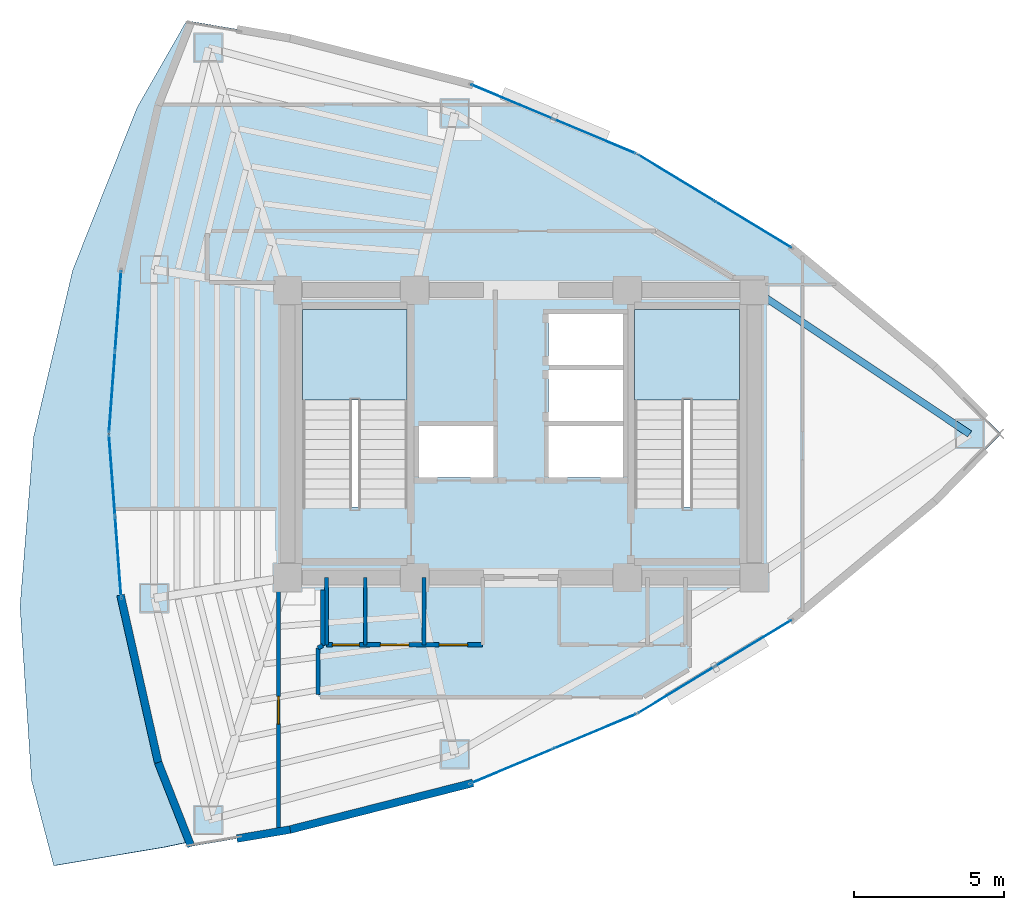
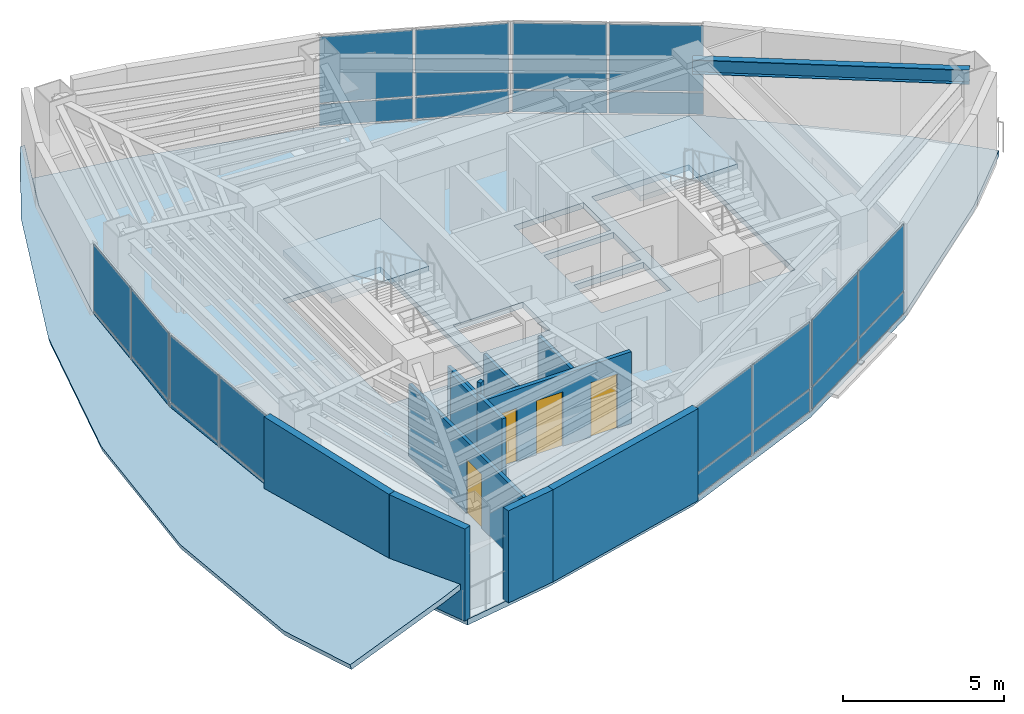
# One storey, part 11 of 15: 24 plates, 12 walls, 4 doors, 4 slabs, 1 beam, 4 openings, 8 elements without a shape of their own.
"""IFC4 building model written with IfcOpenShell, lengths in metres."""

from ifc_helpers import new_model, si_unit, direction, frame, frame_2d, origin, origin_2d, place, context, subcontext, project, spatial, polyline, rectangle, i_section, outline, extrude, material, layer, layer_set, material_profile, profile_set, type_object, element, fill, aggregate, save


model = new_model("IFC4")

# Units and contexts
model_context = context("Model", 3, precision=1e-05, world=origin(), true_north=direction((0.0, 1.0)))
body_context = subcontext(model_context, "Body", "Model", "MODEL_VIEW")
ifc_project = project(units=[si_unit("LENGTHUNIT", "METRE"), si_unit("AREAUNIT", "SQUARE_METRE"), si_unit("VOLUMEUNIT", "CUBIC_METRE"), si_unit("PLANEANGLEUNIT", "RADIAN"), si_unit("MASSUNIT", "GRAM", prefix="KILO")], contexts=[model_context])

# Site, building, storey
site_placement = place(None, origin())
site = spatial("IfcSite", under=ifc_project, at=site_placement, CompositionType="ELEMENT")
building_placement = place(site_placement, origin())
building = spatial("IfcBuilding", under=site, at=building_placement, Name="Menara Vayukalpa", CompositionType="ELEMENT")
storey_placement = place(building_placement, frame((0.0, 0.0, 184.080078125)))
storey = spatial("IfcBuildingStorey", under=building, at=storey_placement, Name="L46", CompositionType="ELEMENT", Elevation=184.080078125)

# Beam
ifc_material_1 = material(Name="Steel S355", Category="steel")
ifc_material_profile = material_profile(ifc_material_1, i_section(OverallWidth=0.239990234375, OverallDepth=0.550048828125, WebThickness=0.010986328125, FlangeThickness=0.01904296875, at=origin_2d()), Name="WF 550x240x11x19")
ifc_profile_set = profile_set([ifc_material_profile], Name="Steel S355")
beam_type = type_object("IfcBeamType", Name="BM-SP2", PredefinedType="SPANDREL", material=ifc_profile_set)
beam_placement = place(storey_placement, frame((40.590576171875, 22.0, 3.224853515625), z_axis=(-0.831715622571, 0.555201876052, 0.0), x_axis=(-0.555201876052, -0.831715622571, 0.0)))
element("IfcBeam", 1, at=beam_placement, inside=storey, type_object=beam_type, Name="L46 Perimeter Spandrel Beam SP01", PredefinedType="SPANDREL", context=body_context, shape_type="SweptSolid", body=[
    extrude(i_section(OverallWidth=0.239990234375, OverallDepth=0.550048828125, WebThickness=0.010986328125, FlangeThickness=0.01904296875, at=origin_2d()), origin(), (0.0, 0.0, 1.0), 8.6455078125),
])

# Curtain wall, plates
ifc_material_2 = material(Name="Anodised Terracotta Aluminium Alloy 6063-T6", Category="masonry")
ifc_layer_1 = layer(ifc_material_2, 0.139892578125)
ifc_layer_set_1 = layer_set([ifc_layer_1], Name="Anodised Terracotta Aluminium Alloy 6063-T6")
curtain_wall_type = type_object("IfcCurtainWallType", Name="CW-CW5", PredefinedType="USERDEFINED", material=ifc_layer_set_1)
curtain_wall_1_placement = place(storey_placement, origin())
curtain_wall_1 = element("IfcCurtainWall", 2, at=curtain_wall_1_placement, inside=storey, type_object=curtain_wall_type, Name="L46 High Rise Tapered Curtain Wall CW5 04", ObjectType="UNITISED", PredefinedType="USERDEFINED")
ifc_material_3 = material(Name="Low-E Double Glazing", Category="glass")
ifc_layer_2 = layer(ifc_material_3, 0.028076171875)
ifc_layer_set_2 = layer_set([ifc_layer_2], Name="Low-E Double Glazing")
plate_type = type_object("IfcPlateType", Name="CWP-CW5", PredefinedType="CURTAIN_PANEL", material=ifc_layer_set_2)
plate_1_placement = place(storey_placement, frame((33.358642578125, 28.994384765625, 0.059814453125), z_axis=(0.0, 0.0, 1.0), x_axis=(-0.854664974832, 0.519179911779, 0.0)))
plate_1 = element("IfcPlate", 3, at=plate_1_placement, type_object=plate_type, Name="CW5 panel 1.1", PredefinedType="CURTAIN_PANEL", context=body_context, shape_type="SweptSolid", body=[
    extrude(rectangle(XDim=2.9423828125, YDim=0.028076171875, at=origin_2d()), origin(), (0.0, 0.0, 1.0), 0.81005859375),
])
plate_2_placement = place(storey_placement, frame((33.358642578125, 28.994384765625, 0.9296875), z_axis=(0.0, 0.0, 1.0), x_axis=(-0.854664974832, 0.519179911779, 0.0)))
plate_2 = element("IfcPlate", 4, at=plate_2_placement, type_object=plate_type, Name="CW5 panel 1.2", PredefinedType="CURTAIN_PANEL", context=body_context, shape_type="SweptSolid", body=[
    extrude(rectangle(XDim=2.9423828125, YDim=0.028076171875, at=origin_2d()), origin(), (0.0, 0.0, 1.0), 2.510009765625),
])
plate_3_placement = place(storey_placement, frame((30.79248046875, 30.55322265625, 0.059814453125), z_axis=(0.0, 0.0, 1.0), x_axis=(-0.854664974832, 0.519179911779, 0.0)))
plate_3 = element("IfcPlate", 5, at=plate_3_placement, type_object=plate_type, Name="CW5 panel 2.1", PredefinedType="CURTAIN_PANEL", context=body_context, shape_type="SweptSolid", body=[
    extrude(rectangle(XDim=2.9423828125, YDim=0.028076171875, at=origin_2d()), origin(), (0.0, 0.0, 1.0), 0.81005859375),
])
plate_4_placement = place(storey_placement, frame((30.79248046875, 30.55322265625, 0.9296875), z_axis=(0.0, 0.0, 1.0), x_axis=(-0.854664974832, 0.519179911779, 0.0)))
plate_4 = element("IfcPlate", 6, at=plate_4_placement, type_object=plate_type, Name="CW5 panel 2.2", PredefinedType="CURTAIN_PANEL", context=body_context, shape_type="SweptSolid", body=[
    extrude(rectangle(XDim=2.9423828125, YDim=0.028076171875, at=origin_2d()), origin(), (0.0, 0.0, 1.0), 2.510009765625),
])
aggregate(curtain_wall_1, [plate_1, plate_2, plate_3, plate_4])

curtain_wall_2_placement = place(storey_placement, origin())
curtain_wall_2 = element("IfcCurtainWall", 7, at=curtain_wall_2_placement, inside=storey, type_object=curtain_wall_type, Name="L46 High Rise Tapered Curtain Wall CW5 05", ObjectType="UNITISED", PredefinedType="USERDEFINED")
plate_5_placement = place(storey_placement, frame((28.071044921875, 31.93896484375, 0.059814453125), z_axis=(0.0, 0.0, 1.0), x_axis=(-0.922539431351, 0.385902834406, 0.0)))
plate_5 = element("IfcPlate", 8, at=plate_5_placement, type_object=plate_type, Name="CW5 panel 1.1", PredefinedType="CURTAIN_PANEL", context=body_context, shape_type="SweptSolid", body=[
    extrude(rectangle(XDim=2.9423828125, YDim=0.028076171875, at=origin_2d()), origin(), (0.0, 0.0, 1.0), 0.81005859375),
])
plate_6_placement = place(storey_placement, frame((28.071044921875, 31.93896484375, 0.9296875), z_axis=(0.0, 0.0, 1.0), x_axis=(-0.922539431351, 0.385902834406, 0.0)))
plate_6 = element("IfcPlate", 9, at=plate_6_placement, type_object=plate_type, Name="CW5 panel 1.2", PredefinedType="CURTAIN_PANEL", context=body_context, shape_type="SweptSolid", body=[
    extrude(rectangle(XDim=2.9423828125, YDim=0.028076171875, at=origin_2d()), origin(), (0.0, 0.0, 1.0), 2.510009765625),
])
plate_7_placement = place(storey_placement, frame((25.30126953125, 33.09765625, 0.059814453125), z_axis=(0.0, 0.0, 1.0), x_axis=(-0.922539431351, 0.385902834406, 0.0)))
plate_7 = element("IfcPlate", 10, at=plate_7_placement, type_object=plate_type, Name="CW5 panel 2.1", PredefinedType="CURTAIN_PANEL", context=body_context, shape_type="SweptSolid", body=[
    extrude(rectangle(XDim=2.9423828125, YDim=0.028076171875, at=origin_2d()), origin(), (0.0, 0.0, 1.0), 0.81005859375),
])
plate_8_placement = place(storey_placement, frame((25.30126953125, 33.09765625, 0.9296875), z_axis=(0.0, 0.0, 1.0), x_axis=(-0.922539431351, 0.385902834406, 0.0)))
plate_8 = element("IfcPlate", 11, at=plate_8_placement, type_object=plate_type, Name="CW5 panel 2.2", PredefinedType="CURTAIN_PANEL", context=body_context, shape_type="SweptSolid", body=[
    extrude(rectangle(XDim=2.9423828125, YDim=0.028076171875, at=origin_2d()), origin(), (0.0, 0.0, 1.0), 2.510009765625),
])
aggregate(curtain_wall_2, [plate_5, plate_6, plate_7, plate_8])

curtain_wall_3_placement = place(storey_placement, origin())
curtain_wall_3 = element("IfcCurtainWall", 12, at=curtain_wall_3_placement, inside=storey, type_object=curtain_wall_type, Name="L46 High Rise Tapered Curtain Wall CW5 10", ObjectType="UNITISED", PredefinedType="USERDEFINED")
plate_9_placement = place(storey_placement, frame((12.139892578125, 26.10205078125, 0.059814453125), z_axis=(0.0, 0.0, 1.0), x_axis=(-0.074791754736, -0.9971991744, 0.0)))
plate_9 = element("IfcPlate", 13, at=plate_9_placement, type_object=plate_type, Name="CW5 panel 1.1", PredefinedType="CURTAIN_PANEL", context=body_context, shape_type="SweptSolid", body=[
    extrude(rectangle(XDim=2.662353515625, YDim=0.028076171875, at=origin_2d()), origin(), (0.0, 0.0, 1.0), 0.81005859375),
])
plate_10_placement = place(storey_placement, frame((12.139892578125, 26.10205078125, 0.9296875), z_axis=(0.0, 0.0, 1.0), x_axis=(-0.074791754736, -0.9971991744, 0.0)))
plate_10 = element("IfcPlate", 14, at=plate_10_placement, type_object=plate_type, Name="CW5 panel 1.2", PredefinedType="CURTAIN_PANEL", context=body_context, shape_type="SweptSolid", body=[
    extrude(rectangle(XDim=2.662353515625, YDim=0.028076171875, at=origin_2d()), origin(), (0.0, 0.0, 1.0), 2.510009765625),
])
plate_11_placement = place(storey_placement, frame((11.936279296875, 23.38720703125, 0.059814453125), z_axis=(0.0, 0.0, 1.0), x_axis=(-0.074791754736, -0.9971991744, 0.0)))
plate_11 = element("IfcPlate", 15, at=plate_11_placement, type_object=plate_type, Name="CW5 panel 2.1", PredefinedType="CURTAIN_PANEL", context=body_context, shape_type="SweptSolid", body=[
    extrude(rectangle(XDim=2.662353515625, YDim=0.028076171875, at=origin_2d()), origin(), (0.0, 0.0, 1.0), 0.81005859375),
])
plate_12_placement = place(storey_placement, frame((11.936279296875, 23.38720703125, 0.9296875), z_axis=(0.0, 0.0, 1.0), x_axis=(-0.074791754736, -0.9971991744, 0.0)))
plate_12 = element("IfcPlate", 16, at=plate_12_placement, type_object=plate_type, Name="CW5 panel 2.2", PredefinedType="CURTAIN_PANEL", context=body_context, shape_type="SweptSolid", body=[
    extrude(rectangle(XDim=2.662353515625, YDim=0.028076171875, at=origin_2d()), origin(), (0.0, 0.0, 1.0), 2.510009765625),
])
aggregate(curtain_wall_3, [plate_9, plate_10, plate_11, plate_12])

curtain_wall_4_placement = place(storey_placement, origin())
curtain_wall_4 = element("IfcCurtainWall", 17, at=curtain_wall_4_placement, inside=storey, type_object=curtain_wall_type, Name="L46 High Rise Tapered Curtain Wall CW5 11", ObjectType="UNITISED", PredefinedType="USERDEFINED")
plate_13_placement = place(storey_placement, frame((11.936279296875, 20.61279296875, 0.059814453125), z_axis=(0.0, 0.0, 1.0), x_axis=(0.074791754736, -0.9971991744, 0.0)))
plate_13 = element("IfcPlate", 18, at=plate_13_placement, type_object=plate_type, Name="CW5 panel 1.1", PredefinedType="CURTAIN_PANEL", context=body_context, shape_type="SweptSolid", body=[
    extrude(rectangle(XDim=2.662353515625, YDim=0.028076171875, at=origin_2d()), origin(), (0.0, 0.0, 1.0), 0.81005859375),
])
plate_14_placement = place(storey_placement, frame((11.936279296875, 20.61279296875, 0.9296875), z_axis=(0.0, 0.0, 1.0), x_axis=(0.074791754736, -0.9971991744, 0.0)))
plate_14 = element("IfcPlate", 19, at=plate_14_placement, type_object=plate_type, Name="CW5 panel 1.2", PredefinedType="CURTAIN_PANEL", context=body_context, shape_type="SweptSolid", body=[
    extrude(rectangle(XDim=2.662353515625, YDim=0.028076171875, at=origin_2d()), origin(), (0.0, 0.0, 1.0), 2.510009765625),
])
plate_15_placement = place(storey_placement, frame((12.139892578125, 17.89794921875, 0.059814453125), z_axis=(0.0, 0.0, 1.0), x_axis=(0.074791754736, -0.9971991744, 0.0)))
plate_15 = element("IfcPlate", 20, at=plate_15_placement, type_object=plate_type, Name="CW5 panel 2.1", PredefinedType="CURTAIN_PANEL", context=body_context, shape_type="SweptSolid", body=[
    extrude(rectangle(XDim=2.662353515625, YDim=0.028076171875, at=origin_2d()), origin(), (0.0, 0.0, 1.0), 0.81005859375),
])
plate_16_placement = place(storey_placement, frame((12.139892578125, 17.89794921875, 0.9296875), z_axis=(0.0, 0.0, 1.0), x_axis=(0.074791754736, -0.9971991744, 0.0)))
plate_16 = element("IfcPlate", 21, at=plate_16_placement, type_object=plate_type, Name="CW5 panel 2.2", PredefinedType="CURTAIN_PANEL", context=body_context, shape_type="SweptSolid", body=[
    extrude(rectangle(XDim=2.662353515625, YDim=0.028076171875, at=origin_2d()), origin(), (0.0, 0.0, 1.0), 2.510009765625),
])
aggregate(curtain_wall_4, [plate_13, plate_14, plate_15, plate_16])

curtain_wall_5_placement = place(storey_placement, origin())
curtain_wall_5 = element("IfcCurtainWall", 22, at=curtain_wall_5_placement, inside=storey, type_object=curtain_wall_type, Name="L46 High Rise Tapered Curtain Wall CW5 16", ObjectType="UNITISED", PredefinedType="USERDEFINED")
plate_17_placement = place(storey_placement, frame((25.30126953125, 10.90234375, 0.059814453125), z_axis=(0.0, 0.0, 1.0), x_axis=(0.922539431351, 0.385902834406, 0.0)))
plate_17 = element("IfcPlate", 23, at=plate_17_placement, type_object=plate_type, Name="CW5 panel 1.1", PredefinedType="CURTAIN_PANEL", context=body_context, shape_type="SweptSolid", body=[
    extrude(rectangle(XDim=2.9423828125, YDim=0.028076171875, at=origin_2d()), origin(), (0.0, 0.0, 1.0), 0.81005859375),
])
plate_18_placement = place(storey_placement, frame((25.30126953125, 10.90234375, 0.9296875), z_axis=(0.0, 0.0, 1.0), x_axis=(0.922539431351, 0.385902834406, 0.0)))
plate_18 = element("IfcPlate", 24, at=plate_18_placement, type_object=plate_type, Name="CW5 panel 1.2", PredefinedType="CURTAIN_PANEL", context=body_context, shape_type="SweptSolid", body=[
    extrude(rectangle(XDim=2.9423828125, YDim=0.028076171875, at=origin_2d()), origin(), (0.0, 0.0, 1.0), 2.510009765625),
])
plate_19_placement = place(storey_placement, frame((28.071044921875, 12.06103515625, 0.059814453125), z_axis=(0.0, 0.0, 1.0), x_axis=(0.922539431351, 0.385902834406, 0.0)))
plate_19 = element("IfcPlate", 25, at=plate_19_placement, type_object=plate_type, Name="CW5 panel 2.1", PredefinedType="CURTAIN_PANEL", context=body_context, shape_type="SweptSolid", body=[
    extrude(rectangle(XDim=2.9423828125, YDim=0.028076171875, at=origin_2d()), origin(), (0.0, 0.0, 1.0), 0.81005859375),
])
plate_20_placement = place(storey_placement, frame((28.071044921875, 12.06103515625, 0.9296875), z_axis=(0.0, 0.0, 1.0), x_axis=(0.922539431351, 0.385902834406, 0.0)))
plate_20 = element("IfcPlate", 26, at=plate_20_placement, type_object=plate_type, Name="CW5 panel 2.2", PredefinedType="CURTAIN_PANEL", context=body_context, shape_type="SweptSolid", body=[
    extrude(rectangle(XDim=2.9423828125, YDim=0.028076171875, at=origin_2d()), origin(), (0.0, 0.0, 1.0), 2.510009765625),
])
aggregate(curtain_wall_5, [plate_17, plate_18, plate_19, plate_20])

curtain_wall_6_placement = place(storey_placement, origin())
curtain_wall_6 = element("IfcCurtainWall", 27, at=curtain_wall_6_placement, inside=storey, type_object=curtain_wall_type, Name="L46 High Rise Tapered Curtain Wall CW5 17", ObjectType="UNITISED", PredefinedType="USERDEFINED")
plate_21_placement = place(storey_placement, frame((30.79248046875, 13.44677734375, 0.059814453125), z_axis=(0.0, 0.0, 1.0), x_axis=(0.854664974832, 0.519179911779, 0.0)))
plate_21 = element("IfcPlate", 28, at=plate_21_placement, type_object=plate_type, Name="CW5 panel 1.1", PredefinedType="CURTAIN_PANEL", context=body_context, shape_type="SweptSolid", body=[
    extrude(rectangle(XDim=2.9423828125, YDim=0.028076171875, at=origin_2d()), origin(), (0.0, 0.0, 1.0), 0.81005859375),
])
plate_22_placement = place(storey_placement, frame((30.79248046875, 13.44677734375, 0.9296875), z_axis=(0.0, 0.0, 1.0), x_axis=(0.854664974832, 0.519179911779, 0.0)))
plate_22 = element("IfcPlate", 29, at=plate_22_placement, type_object=plate_type, Name="CW5 panel 1.2", PredefinedType="CURTAIN_PANEL", context=body_context, shape_type="SweptSolid", body=[
    extrude(rectangle(XDim=2.9423828125, YDim=0.028076171875, at=origin_2d()), origin(), (0.0, 0.0, 1.0), 2.510009765625),
])
plate_23_placement = place(storey_placement, frame((33.358642578125, 15.005615234375, 0.059814453125), z_axis=(0.0, 0.0, 1.0), x_axis=(0.854664974832, 0.519179911779, 0.0)))
plate_23 = element("IfcPlate", 30, at=plate_23_placement, type_object=plate_type, Name="CW5 panel 2.1", PredefinedType="CURTAIN_PANEL", context=body_context, shape_type="SweptSolid", body=[
    extrude(rectangle(XDim=2.9423828125, YDim=0.028076171875, at=origin_2d()), origin(), (0.0, 0.0, 1.0), 0.81005859375),
])
plate_24_placement = place(storey_placement, frame((33.358642578125, 15.005615234375, 0.9296875), z_axis=(0.0, 0.0, 1.0), x_axis=(0.854664974832, 0.519179911779, 0.0)))
plate_24 = element("IfcPlate", 31, at=plate_24_placement, type_object=plate_type, Name="CW5 panel 2.2", PredefinedType="CURTAIN_PANEL", context=body_context, shape_type="SweptSolid", body=[
    extrude(rectangle(XDim=2.9423828125, YDim=0.028076171875, at=origin_2d()), origin(), (0.0, 0.0, 1.0), 2.510009765625),
])
aggregate(curtain_wall_6, [plate_21, plate_22, plate_23, plate_24])

# Slab
ifc_material_4 = material(Name="Concrete C40/50", Category="concrete")
ifc_layer_3 = layer(ifc_material_4, 0.219970703125)
ifc_layer_set_3 = layer_set([ifc_layer_3], Name="Concrete C40/50")
slab_type_1 = type_object("IfcSlabType", Name="SLB-FL220", PredefinedType="FLOOR", material=ifc_layer_set_3)
slab_1_placement = place(storey_placement, frame((0.0, 0.0, -0.219970703125)))
element("IfcSlab", 32, at=slab_1_placement, inside=storey, type_object=slab_type_1, Name="L46 Structural Floor Slab", PredefinedType="FLOOR", context=body_context, shape_type="SweptSolid", body=[
    extrude(outline(polyline([(39.439208984375, 19.7578125), (41.640380859375, 22.0), (39.439208984375, 24.2421875), (34.667236328125, 28.19921875), (29.48388671875, 31.34814453125), (23.888671875, 33.688720703125), (17.881591796875, 35.220703125), (14.579833984375, 35.781005859375), (13.47900390625, 32.978515625), (12.243896484375, 27.4892578125), (11.832275390625, 22.0), (12.243896484375, 16.5107421875), (13.47900390625, 11.021484375), (14.579833984375, 8.218994140625), (17.881591796875, 8.779296875), (23.888671875, 10.311279296875), (29.48388671875, 12.65185546875), (34.667236328125, 15.80078125), (39.439208984375, 19.7578125)]), holes=[polyline([(21.800048828125, 19.550048828125), (21.800048828125, 26.14990234375), (18.300048828125, 26.14990234375), (18.300048828125, 19.550048828125), (21.800048828125, 19.550048828125)]), polyline([(32.89990234375, 19.550048828125), (32.89990234375, 26.14990234375), (29.39990234375, 26.14990234375), (29.39990234375, 19.550048828125), (32.89990234375, 19.550048828125)]), polyline([(22.179931640625, 20.550048828125), (24.679931640625, 20.550048828125), (24.679931640625, 22.27001953125), (22.179931640625, 22.27001953125), (22.179931640625, 20.550048828125)]), polyline([(26.52001953125, 20.550048828125), (29.02001953125, 20.550048828125), (29.02001953125, 22.27001953125), (26.52001953125, 22.27001953125), (26.52001953125, 20.550048828125)]), polyline([(26.52001953125, 24.2900390625), (29.02001953125, 24.2900390625), (29.02001953125, 26.010009765625), (26.52001953125, 26.010009765625), (26.52001953125, 24.2900390625)]), polyline([(26.52001953125, 22.419921875), (29.02001953125, 22.419921875), (29.02001953125, 24.139892578125), (26.52001953125, 24.139892578125), (26.52001953125, 22.419921875)])]), origin(), (0.0, 0.0, 1.0), 0.219970703125),
])

# Stair, slab
ifc_material_5 = material(Name="Precast Concrete C40/50", Category="concrete")
stair_type = type_object("IfcStairType", Name="STR-T04", PredefinedType="DOUBLE_RETURN_STAIR", material=ifc_material_5)
stair_1_placement = place(storey_placement, origin())
stair_1 = element("IfcStair", 33, at=stair_1_placement, inside=storey, type_object=stair_type, Name="L46 Core Exit Stair ST-1", PredefinedType="DOUBLE_RETURN_STAIR")
ifc_material_6 = material(Name="Precast Concrete C40/50", Category="concrete")
ifc_layer_4 = layer(ifc_material_6, 0.199951171875)
ifc_layer_set_4 = layer_set([ifc_layer_4], Name="Precast Concrete C40/50")
slab_type_2 = type_object("IfcSlabType", Name="SLB-LND200", PredefinedType="LANDING", material=ifc_layer_set_4)
slab_2_placement = place(storey_placement, frame((0.0, 0.0, 1.659912109375)))
slab_2 = element("IfcSlab", 34, at=slab_2_placement, type_object=slab_type_2, Name="ST-1 landing 1", PredefinedType="LANDING", context=body_context, shape_type="SweptSolid", body=[
    extrude(outline(polyline([(21.800048828125, 23.1298828125), (21.800048828125, 26.14990234375), (18.300048828125, 26.14990234375), (18.300048828125, 23.1298828125), (21.800048828125, 23.1298828125)])), origin(), (0.0, 0.0, 1.0), 0.199951171875),
])
aggregate(stair_1, [slab_2])

stair_2_placement = place(storey_placement, origin())
stair_2 = element("IfcStair", 35, at=stair_2_placement, inside=storey, type_object=stair_type, Name="L46 Core Exit Stair ST-2", PredefinedType="DOUBLE_RETURN_STAIR")
slab_3_placement = place(storey_placement, frame((0.0, 0.0, 1.659912109375)))
slab_3 = element("IfcSlab", 36, at=slab_3_placement, type_object=slab_type_2, Name="ST-2 landing 1", PredefinedType="LANDING", context=body_context, shape_type="SweptSolid", body=[
    extrude(outline(polyline([(32.89990234375, 23.1298828125), (32.89990234375, 26.14990234375), (29.39990234375, 26.14990234375), (29.39990234375, 23.1298828125), (32.89990234375, 23.1298828125)])), origin(), (0.0, 0.0, 1.0), 0.199951171875),
])
aggregate(stair_2, [slab_3])

# Slab
ifc_material_7 = material(Name="Concrete C40/50", Category="concrete")
ifc_layer_5 = layer(ifc_material_7, 0.199951171875)
ifc_layer_set_5 = layer_set([ifc_layer_5], Name="Concrete C40/50")
slab_type_3 = type_object("IfcSlabType", Name="SLB-RF200", PredefinedType="ROOF", material=ifc_layer_set_5)
slab_4_placement = place(storey_placement, frame((9.9873046875, 7.573486328125, 0.270263671875), z_axis=(-0.233421873184, 9.104193e-06, 0.972375559666), x_axis=(-0.25115877163, 0.966065794564, -0.060300514145)))
element("IfcSlab", 37, at=slab_4_placement, inside=storey, type_object=slab_type_3, Name="L46 Shoulder Stub Sloped Roof Slab", PredefinedType="ROOF", context=body_context, shape_type="SweptSolid", body=[
    extrude(outline(polyline([(0.0, 0.0), (2.95324331025787, -1.457167719820518e-16), (8.66855600397519, -1.1195630278253113), (14.032968224042426, -3.0411397148055763), (19.04634261253541, -5.765243795617088), (23.708679169454133, -9.291875270259842), (26.05376345426724, -11.663835553065349), (25.995917317125688, -11.797011387963874), (23.627419811864375, -10.014519454098725), (23.62614203434729, -10.01362735597991), (23.624788216965513, -10.01301965188391), (18.649899063004796, -7.368041501918244), (18.647191428241243, -7.366826093726243), (13.453551797433617, -5.540007197106289), (13.45219798005184, -5.539399493010288), (13.450721526551105, -5.539250470221247), (8.038392736956052, -4.530361486293524), (8.035439829954578, -4.53006344071544), (2.4043605635126224, -4.33933371013343), (2.4028841100118865, -4.339184687344388), (2.4013316166464587, -4.339320058578159), (-0.43510769088033585, -4.688859393667897), (-0.38235132165810026, -3.794932784053522), (0.0, 0.0)])), origin(), (0.0, 0.0, -1.0), 0.199951171875),
])

# Walls
ifc_material_8 = material(Name="Insulated Precast Concrete C40/50", Category="concrete")
ifc_layer_6 = layer(ifc_material_8, 0.260009765625)
ifc_layer_set_6 = layer_set([ifc_layer_6], Name="Insulated Precast Concrete C40/50")
wall_type_1 = type_object("IfcWallType", Name="WAL-EXT260", PredefinedType="PARTITIONING", material=ifc_layer_set_6)
wall_1_placement = place(storey_placement, frame((13.47900390625, 11.021484375, 0.0), z_axis=(0.0, 0.0, 1.0), x_axis=(-0.219475737697, 0.975617958303, 0.0)))
element("IfcWall", 38, at=wall_1_placement, inside=storey, type_object=wall_type_1, Name="L46 Perimeter Terracotta Pier Wall 12", PredefinedType="PARTITIONING", context=body_context, shape_type="SweptSolid", body=[
    extrude(rectangle(XDim=5.736572265625, YDim=0.260009765625, at=frame_2d((2.8681640625, 0.0))), origin(), (0.0, 0.0, 1.0), 3.5),
])
wall_2_placement = place(storey_placement, frame((14.579833984375, 8.218994140625, 0.0), z_axis=(0.0, 0.0, 1.0), x_axis=(-0.365609724313, 0.930768246927, 0.0)))
element("IfcWall", 39, at=wall_2_placement, inside=storey, type_object=wall_type_1, Name="L46 Perimeter Terracotta Pier Wall 13", PredefinedType="PARTITIONING", context=body_context, shape_type="SweptSolid", body=[
    extrude(rectangle(XDim=3.010986328125, YDim=0.260009765625, at=frame_2d((1.50537109375, 0.0))), origin(), (0.0, 0.0, 1.0), 3.5),
])
wall_3_placement = place(storey_placement, frame((17.8876953125, 8.780517578125, 0.0), z_axis=(0.0, 0.0, 1.0), x_axis=(-0.985877723898, -0.167466753484, 0.0)))
element("IfcWall", 40, at=wall_3_placement, inside=storey, type_object=wall_type_1, Name="L46 Perimeter Terracotta Pier Wall 14", PredefinedType="PARTITIONING", context=body_context, shape_type="SweptSolid", body=[
    extrude(rectangle(XDim=1.80615234375, YDim=0.260009765625, at=frame_2d((0.903076171875, 0.0))), origin(), (0.0, 0.0, 1.0), 3.5),
])
wall_4_placement = place(storey_placement, frame((23.9951171875, 10.338623046875, 0.0), z_axis=(0.0, 0.0, 1.0), x_axis=(-0.968976240439, -0.247153890246, 0.0)))
element("IfcWall", 41, at=wall_4_placement, inside=storey, type_object=wall_type_1, Name="L46 Perimeter Terracotta Pier Wall 15", PredefinedType="PARTITIONING", context=body_context, shape_type="SweptSolid", body=[
    extrude(rectangle(XDim=6.31494140625, YDim=0.260009765625, at=frame_2d((3.157470703125, 0.0))), origin(), (0.0, 0.0, 1.0), 3.5),
])
ifc_material_9 = material(Name="Acoustic Mineral Stud Partition", Category="masonry")
ifc_layer_7 = layer(ifc_material_9, 0.110107421875)
ifc_layer_set_7 = layer_set([ifc_layer_7], Name="Acoustic Mineral Stud Partition")
wall_type_2 = type_object("IfcWallType", Name="WAL-PT110", PredefinedType="PARTITIONING", material=ifc_layer_set_7)
wall_5_placement = place(storey_placement, frame((20.39990234375, 14.949951171875, 0.0), z_axis=(0.0, 0.0, 1.0), x_axis=(0.0, 1.0, 0.0)))
element("IfcWall", 42, at=wall_5_placement, inside=storey, type_object=wall_type_2, Name="L46 Interior Partition IW-L46-SVCD-02", PredefinedType="PARTITIONING", context=body_context, shape_type="SweptSolid", body=[
    extrude(rectangle(XDim=2.25, YDim=0.110107421875, at=frame_2d((1.125, 0.0))), origin(), (0.0, 0.0, 1.0), 2.6298828125),
])
ifc_material_10 = material(Name="Gypsum Drywall Steel Stud Assembly", Category="steel")
ifc_layer_8 = layer(ifc_material_10, 0.125)
ifc_layer_set_8 = layer_set([ifc_layer_8], Name="Gypsum Drywall Steel Stud Assembly")
wall_type_3 = type_object("IfcWallType", Name="WAL-PT125", PredefinedType="PARTITIONING", material=ifc_layer_set_8)
for number, where, z_axis, x_axis, name in (
    (43, (19.10009765625, 14.949951171875, 0.0), (0.0, 0.0, 1.0), (0.0, 1.0, 0.0), "L46 Interior Partition IW-L46-SVCD-01"),
    (44, (22.360107421875, 14.949951171875, 0.0), (0.0, 0.0, 1.0), (0.0, 1.0, 0.0), "L46 Interior Partition IW-L46-SVCD-03"),
):
    element("IfcWall", number, at=place(storey_placement, frame(where, z_axis=z_axis, x_axis=x_axis)), inside=storey, type_object=wall_type_3, Name=name, PredefinedType="PARTITIONING", context=body_context, shape_type="SweptSolid", body=[
        extrude(rectangle(XDim=2.25, YDim=0.125, at=frame_2d((1.125, 0.0))), origin(), (0.0, 0.0, 1.0), 2.6298828125),
    ])

# Wall, opening, door
wall_6_placement = place(storey_placement, frame((17.5, 8.70458984375, 0.0), z_axis=(0.0, 0.0, 1.0), x_axis=(0.0, 1.0, 0.0)))
wall_6 = element("IfcWall", 45, at=wall_6_placement, inside=storey, type_object=wall_type_3, Name="L46 Interior Partition IW-L46-RDIV01", PredefinedType="PARTITIONING", context=body_context, shape_type="SweptSolid", body=[
    extrude(rectangle(XDim=8.12548828125, YDim=0.125, at=frame_2d((4.062744140625, 0.0))), origin(), (0.0, 0.0, 1.0), 2.72998046875),
])
opening_1_placement = place(wall_6_placement, frame((3.602783203125, 0.0, 0.0)))
opening_1 = element("IfcOpeningElement", 46, at=opening_1_placement, cuts=wall_6, Name="Opening ID6", PredefinedType="OPENING", context=body_context, shape_type="SweptSolid", body=[
    extrude(rectangle(XDim=0.919921875, YDim=2.050048828125, at=frame_2d((0.4599609375, 1.02490234375))), frame((0.0, 0.072509765625, 0.0), z_axis=(0.0, -1.0, 0.0), x_axis=(1.0, 0.0, 0.0)), (0.0, 0.0, 1.0), 0.14501953125),
])
ifc_material_11 = material(Name="Acoustic Hardwood Veneer Timber Door", Category="wood")
door_type_1 = type_object("IfcDoorType", Name="DR-INT92", OperationType="NOTDEFINED", PredefinedType="DOOR", material=ifc_material_11)
door_1_placement = place(opening_1_placement, origin())
door_1 = element("IfcDoor", 47, at=door_1_placement, inside=storey, type_object=door_type_1, Name="L46 Interior Door DR-L46-STE01", OperationType="SINGLE_SWING_RIGHT", OverallHeight=2.050048828125, OverallWidth=0.919921875, PredefinedType="DOOR", context=body_context, shape_type="SweptSolid", body=[
    extrude(rectangle(XDim=0.919921875, YDim=2.050048828125, at=frame_2d((0.4599609375, 1.02490234375))), frame((0.0, 0.02490234375, 0.0), z_axis=(0.0, -1.0, 0.0), x_axis=(1.0, 0.0, 0.0)), (0.0, 0.0, 1.0), 0.050048828125),
])
fill(opening_1, door_1)

# Wall, openings, doors
ifc_material_12 = material(Name="Gypsum Drywall Acoustic Stud Assembly", Category="masonry")
ifc_layer_9 = layer(ifc_material_12, 0.14501953125)
ifc_layer_set_9 = layer_set([ifc_layer_9], Name="Gypsum Drywall Acoustic Stud Assembly")
wall_type_4 = type_object("IfcWallType", Name="WAL-PT150", PredefinedType="PARTITIONING", material=ifc_layer_set_9)
wall_7_placement = place(storey_placement, frame((19.10009765625, 14.949951171875, 0.0), z_axis=(0.0, 0.0, 1.0), x_axis=(1.0, 0.0, 0.0)))
wall_7 = element("IfcWall", 48, at=wall_7_placement, inside=storey, type_object=wall_type_4, Name="L46 Interior Partition IW-L46-SVCS-W", PredefinedType="PARTITIONING", context=body_context, shape_type="SweptSolid", body=[
    extrude(rectangle(XDim=5.219970703125, YDim=0.14501953125, at=frame_2d((2.60986328125, 0.0))), origin(), (0.0, 0.0, 1.0), 2.72998046875),
])
opening_2_placement = place(wall_7_placement, frame((0.199951171875, 0.0, 0.0)))
opening_2 = element("IfcOpeningElement", 49, at=opening_2_placement, cuts=wall_7, Name="Opening ID7", PredefinedType="OPENING", context=body_context, shape_type="SweptSolid", body=[
    extrude(rectangle(XDim=0.89990234375, YDim=2.02001953125, at=frame_2d((0.449951171875, 1.010009765625))), frame((0.0, 0.08251953125, 0.0), z_axis=(0.0, -1.0, 0.0), x_axis=(1.0, 0.0, 0.0)), (0.0, 0.0, 1.0), 0.1650390625),
])
opening_3_placement = place(wall_7_placement, frame((1.804931640625, 0.0, 0.0)))
opening_3 = element("IfcOpeningElement", 50, at=opening_3_placement, cuts=wall_7, Name="Opening ID5", PredefinedType="OPENING", context=body_context, shape_type="SweptSolid", body=[
    extrude(rectangle(XDim=0.949951171875, YDim=2.06005859375, at=frame_2d((0.47509765625, 1.030029296875))), frame((0.0, 0.08251953125, 0.0), z_axis=(0.0, -1.0, 0.0), x_axis=(1.0, 0.0, 0.0)), (0.0, 0.0, 1.0), 0.1650390625),
])
opening_4_placement = place(wall_7_placement, frame((3.764892578125, 0.0, 0.0)))
opening_4 = element("IfcOpeningElement", 51, at=opening_4_placement, cuts=wall_7, Name="Opening ID5", PredefinedType="OPENING", context=body_context, shape_type="SweptSolid", body=[
    extrude(rectangle(XDim=0.949951171875, YDim=2.06005859375, at=frame_2d((0.47509765625, 1.030029296875))), frame((0.0, 0.08251953125, 0.0), z_axis=(0.0, -1.0, 0.0), x_axis=(1.0, 0.0, 0.0)), (0.0, 0.0, 1.0), 0.1650390625),
])
ifc_material_13 = material(Name="Acoustic Hardwood Veneer Timber Door", Category="wood")
door_type_2 = type_object("IfcDoorType", Name="DR-INT95", OperationType="NOTDEFINED", PredefinedType="DOOR", material=ifc_material_13)
door_2_placement = place(opening_3_placement, origin())
door_2 = element("IfcDoor", 52, at=door_2_placement, inside=storey, type_object=door_type_2, Name="L46 Interior Door DR-L46-AWC", OperationType="SINGLE_SWING_RIGHT", OverallHeight=2.06005859375, OverallWidth=0.949951171875, PredefinedType="DOOR", context=body_context, shape_type="SweptSolid", body=[
    extrude(rectangle(XDim=0.949951171875, YDim=2.06005859375, at=frame_2d((0.47509765625, 1.030029296875))), frame((0.0, 0.02490234375, 0.0), z_axis=(0.0, -1.0, 0.0), x_axis=(1.0, 0.0, 0.0)), (0.0, 0.0, 1.0), 0.050048828125),
])
fill(opening_3, door_2)
door_3_placement = place(opening_4_placement, origin())
door_3 = element("IfcDoor", 53, at=door_3_placement, inside=storey, type_object=door_type_2, Name="L46 Interior Door DR-L46-SWC", OperationType="SINGLE_SWING_LEFT", OverallHeight=2.06005859375, OverallWidth=0.949951171875, PredefinedType="DOOR", context=body_context, shape_type="SweptSolid", body=[
    extrude(rectangle(XDim=0.949951171875, YDim=2.06005859375, at=frame_2d((0.47509765625, 1.030029296875))), frame((0.0, 0.02490234375, 0.0), z_axis=(0.0, -1.0, 0.0), x_axis=(1.0, 0.0, 0.0)), (0.0, 0.0, 1.0), 0.050048828125),
])
fill(opening_4, door_3)
ifc_material_14 = material(Name="Powder-Coated Steel Riser Access Door", Category="steel")
door_type_3 = type_object("IfcDoorType", Name="DR-RISER", OperationType="NOTDEFINED", PredefinedType="DOOR", material=ifc_material_14)
door_4_placement = place(opening_2_placement, origin())
door_4 = element("IfcDoor", 54, at=door_4_placement, inside=storey, type_object=door_type_3, Name="L46 Interior Door DR-L46-ELR", OperationType="SINGLE_SWING_LEFT", OverallHeight=2.02001953125, OverallWidth=0.89990234375, PredefinedType="DOOR", context=body_context, shape_type="SweptSolid", body=[
    extrude(rectangle(XDim=0.89990234375, YDim=2.02001953125, at=frame_2d((0.449951171875, 1.010009765625))), frame((0.0, 0.02490234375, 0.0), z_axis=(0.0, -1.0, 0.0), x_axis=(1.0, 0.0, 0.0)), (0.0, 0.0, 1.0), 0.050048828125),
])
fill(opening_2, door_4)

# Walls
wall_8_placement = place(storey_placement, frame((18.97998046875, 16.780029296875, 0.0), z_axis=(0.0, 0.0, 1.0), x_axis=(0.0, -1.0, 0.0)))
element("IfcWall", 55, at=wall_8_placement, inside=storey, type_object=wall_type_4, Name="L46 Interior Partition IW-L46-CRM02-1", PredefinedType="PARTITIONING", context=body_context, shape_type="SweptSolid", body=[
    extrude(rectangle(XDim=1.85009765625, YDim=0.14501953125, at=frame_2d((0.925048828125, 0.0))), origin(), (0.0, 0.0, 1.0), 2.6298828125),
])
wall_9_placement = place(storey_placement, frame((18.820068359375, 14.85009765625, 0.0), z_axis=(0.0, 0.0, 1.0), x_axis=(0.0, -1.0, 0.0)))
element("IfcWall", 56, at=wall_9_placement, inside=storey, type_object=wall_type_4, Name="L46 Interior Partition IW-L46-CRM02-2", PredefinedType="PARTITIONING", context=body_context, shape_type="SweptSolid", body=[
    extrude(rectangle(XDim=1.56005859375, YDim=0.14501953125, at=frame_2d((0.780029296875, 0.0))), origin(), (0.0, 0.0, 1.0), 3.079833984375),
])
wall_10_placement = place(storey_placement, frame((18.820068359375, 14.85009765625, 0.0), z_axis=(0.0, 0.0, 1.0), x_axis=(0.89470021502, 0.446667130247, 0.0)))
element("IfcWall", 57, at=wall_10_placement, inside=storey, type_object=wall_type_4, Name="L46 Interior Partition IW-L46-CRM02-2-R0", PredefinedType="PARTITIONING", context=body_context, shape_type="SweptSolid", body=[
    extrude(rectangle(XDim=0.1787109375, YDim=0.14501953125, at=frame_2d((0.08935546875, 0.0))), origin(), (0.0, 0.0, 1.0), 3.5),
])

save(model, "model.ifc")
